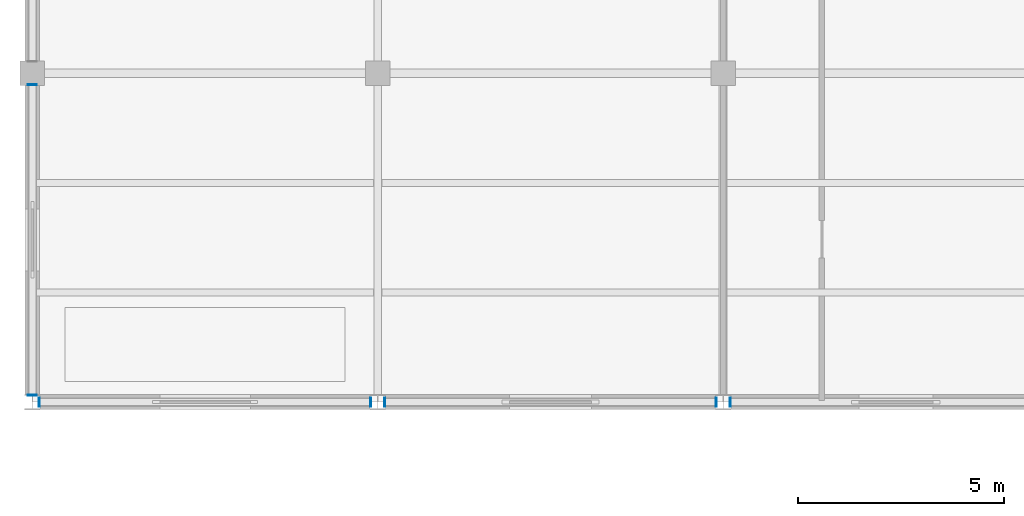
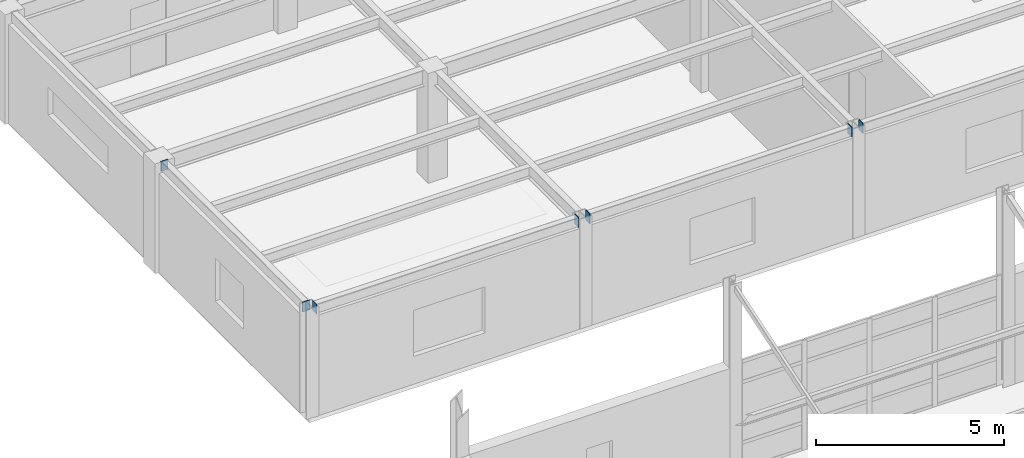
# One storey, part 64 of 96: 7 discrete accessories.
"""IFC4 building model written with IfcOpenShell, lengths in metres."""

from ifc_helpers import new_model, si_unit, direction, frame, origin, origin_2d, place, context, subcontext, project, spatial, rectangle, extrude, material, layer, layer_set, type_object, element, save


model = new_model("IFC4")

# Units and contexts
model_context = context("Model", 3, precision=1e-05, world=origin(), true_north=direction((0.0, 1.0)))
body_context = subcontext(model_context, "Body", "Model", "MODEL_VIEW")
ifc_project = project(units=[si_unit("LENGTHUNIT", "METRE"), si_unit("AREAUNIT", "SQUARE_METRE"), si_unit("VOLUMEUNIT", "CUBIC_METRE"), si_unit("PLANEANGLEUNIT", "RADIAN"), si_unit("MASSUNIT", "GRAM", prefix="KILO")], contexts=[model_context])

# Site, building, storey
site_placement = place(None, origin())
site = spatial("IfcSite", under=ifc_project, at=site_placement, CompositionType="ELEMENT")
building_placement = place(site_placement, origin())
building = spatial("IfcBuilding", under=site, at=building_placement, Name="Kranzveld Transit Interchange", CompositionType="ELEMENT")
storey_placement = place(building_placement, frame((0.0, 0.0, 9.52001953125)))
storey = spatial("IfcBuildingStorey", under=building, at=storey_placement, Name="L02", CompositionType="ELEMENT", Elevation=9.52001953125)

# Discrete accessories
ifc_material = material(Name="Steel S355JR", Category="steel")
ifc_layer = layer(ifc_material, 0.02001953125)
ifc_layer_set = layer_set([ifc_layer], Name="Steel S355JR")
discrete_accessory_type = type_object("IfcDiscreteAccessoryType", Name="Hollow Section End Cap Bracket 20 S355JR", PredefinedType="BRACKET", material=ifc_layer_set)
for number, where, z_axis, x_axis, name in (
    (1, (0.181396484375, 48.0, 3.419921875), (-1.0, 0.0, 0.0), (0.0, -1.0, 0.0), "Hollow Section End Cap SP-RHS300-1"),
    (2, (8.21875, 48.0, 3.419921875), (1.0, 0.0, 0.0), (0.0, 1.0, 0.0), "Hollow Section End Cap SP-RHS300-2"),
    (3, (8.581298828125, 48.0, 3.419921875), (-1.0, 0.0, 0.0), (0.0, -1.0, 0.0), "Hollow Section End Cap SP-RHS300-1"),
    (4, (16.61865234375, 48.0, 3.419921875), (1.0, 0.0, 0.0), (0.0, 1.0, 0.0), "Hollow Section End Cap SP-RHS300-2"),
    (5, (16.981201171875, 48.0, 3.419921875), (-1.0, 0.0, 0.0), (0.0, -1.0, 0.0), "Hollow Section End Cap SP-RHS300-1"),
    (6, (0.0, 48.181396484375, 3.419921875), (0.0, -1.0, 0.0), (1.0, 0.0, 0.0), "Hollow Section End Cap SP-RHS300-1"),
    (7, (0.0, 55.7060546875, 3.419921875), (0.0, 1.0, 0.0), (-1.0, 0.0, 0.0), "Hollow Section End Cap SP-RHS300-2"),
):
    element("IfcDiscreteAccessory", number, at=place(storey_placement, frame(where, z_axis=z_axis, x_axis=x_axis)), inside=storey, type_object=discrete_accessory_type, Name=name, PredefinedType="BRACKET", context=body_context, shape_type="SweptSolid", body=[
        extrude(rectangle(XDim=0.22412109375, YDim=0.323974609375, at=origin_2d()), origin(), (0.0, 0.0, 1.0), 0.02001953125),
    ])

save(model, "model.ifc")
